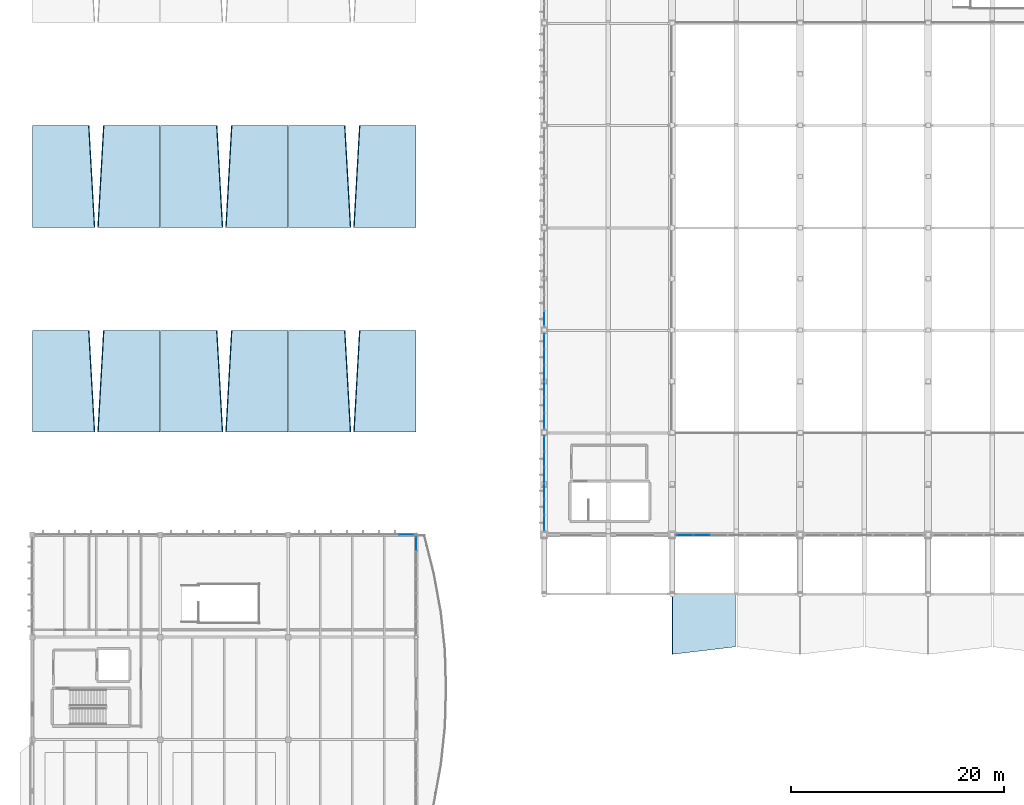
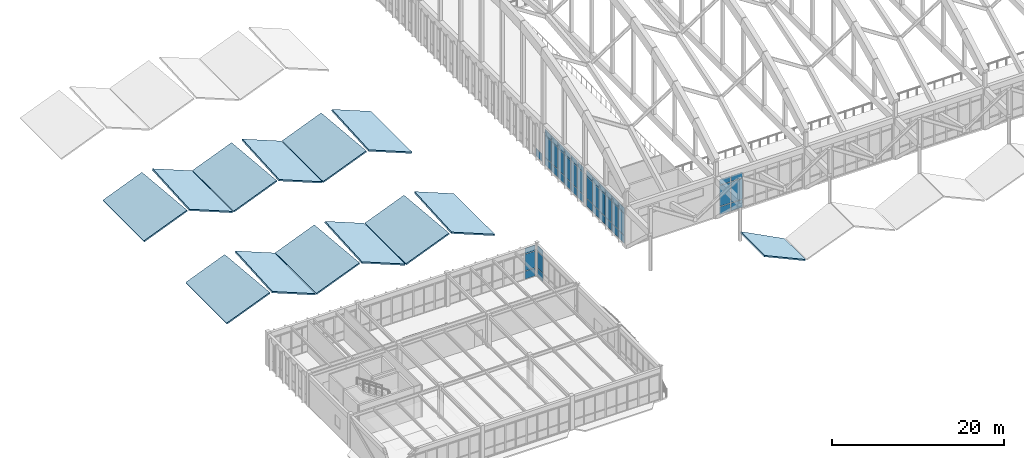
# One storey, part 189 of 236: 49 plates, 13 slabs, 6 elements without a shape of their own.
"""IFC4 building model written with IfcOpenShell, lengths in metres."""

from ifc_helpers import new_model, si_unit, direction, frame, origin, origin_2d, place, context, subcontext, project, spatial, polyline, rectangle, outline, extrude, material, layer, layer_set, type_object, element, aggregate, save


model = new_model("IFC4")

# Units and contexts
model_context = context("Model", 3, precision=1e-05, world=origin(), true_north=direction((0.0, 1.0)))
body_context = subcontext(model_context, "Body", "Model", "MODEL_VIEW")
ifc_project = project(units=[si_unit("LENGTHUNIT", "METRE"), si_unit("AREAUNIT", "SQUARE_METRE"), si_unit("VOLUMEUNIT", "CUBIC_METRE"), si_unit("PLANEANGLEUNIT", "RADIAN"), si_unit("MASSUNIT", "GRAM", prefix="KILO")], contexts=[model_context])

# Site, building, storey
site_placement = place(None, origin())
site = spatial("IfcSite", under=ifc_project, at=site_placement, CompositionType="ELEMENT")
building_placement = place(site_placement, origin())
building = spatial("IfcBuilding", under=site, at=building_placement, Name="Pandanus Reach Market Hall", CompositionType="ELEMENT")
storey_placement = place(building_placement, frame((0.0, 0.0, 5.39990234375)))
storey = spatial("IfcBuildingStorey", under=building, at=storey_placement, Name="L01", CompositionType="ELEMENT", Elevation=5.39990234375)

# Curtain wall, plates
ifc_material_1 = material(Name="Bronze anodised aluminium and low-E glass", Category="aluminium")
ifc_layer_1 = layer(ifc_material_1, 0.159912109375, Name="CW-18")
ifc_layer_set_1 = layer_set([ifc_layer_1], Name="Bronze anodised aluminium and low-E glass")
curtain_wall_type_1 = type_object("IfcCurtainWallType", Name="CW-18", PredefinedType="NOTDEFINED", material=ifc_layer_set_1)
curtain_wall_1_placement = place(storey_placement, origin())
curtain_wall_1 = element("IfcCurtainWall", 1, at=curtain_wall_1_placement, inside=storey, type_object=curtain_wall_type_1, Name="Glazed curtain wall CW-18 CW-0059", PredefinedType="NOTDEFINED")
ifc_material_2 = material(Name="Solar-control double glazing", Category="glass")
ifc_layer_2 = layer(ifc_material_2, 0.028076171875, Name="CW-P1")
ifc_layer_set_2 = layer_set([ifc_layer_2], Name="Solar-control double glazing")
plate_type_1 = type_object("IfcPlateType", Name="CW-P1", PredefinedType="CURTAIN_PANEL", material=ifc_layer_set_2)
plate_1_placement = place(storey_placement, frame((35.082763671875, 28.800048828125, 0.065185546875), z_axis=(0.0, 0.0, 1.0), x_axis=(1.0, 0.0, 0.0)))
plate_1 = element("IfcPlate", 2, at=plate_1_placement, type_object=plate_type_1, Name="CW-18 panel 8.1", PredefinedType="CURTAIN_PANEL", context=body_context, shape_type="SweptSolid", body=[
    extrude(rectangle(XDim=1.34912109375, YDim=0.028076171875, at=origin_2d()), origin(), (0.0, 0.0, 1.0), 1.1025390625),
])
plate_2_placement = place(storey_placement, frame((35.082763671875, 28.800048828125, 1.232666015625), z_axis=(0.0, 0.0, 1.0), x_axis=(1.0, 0.0, 0.0)))
plate_2 = element("IfcPlate", 3, at=plate_2_placement, type_object=plate_type_1, Name="CW-18 panel 8.2", PredefinedType="CURTAIN_PANEL", context=body_context, shape_type="SweptSolid", body=[
    extrude(rectangle(XDim=1.34912109375, YDim=0.028076171875, at=origin_2d()), origin(), (0.0, 0.0, 1.0), 2.3349609375),
])
plate_3_placement = place(storey_placement, frame((35.082763671875, 28.800048828125, 3.6328125), z_axis=(0.0, 0.0, 1.0), x_axis=(1.0, 0.0, 0.0)))
plate_3 = element("IfcPlate", 4, at=plate_3_placement, type_object=plate_type_1, Name="CW-18 panel 8.3", PredefinedType="CURTAIN_PANEL", context=body_context, shape_type="SweptSolid", body=[
    extrude(rectangle(XDim=1.34912109375, YDim=0.028076171875, at=origin_2d()), origin(), (0.0, 0.0, 1.0), 0.802490234375),
])
aggregate(curtain_wall_1, [plate_1, plate_2, plate_3])

ifc_layer_3 = layer(ifc_material_1, 0.159912109375, Name="CW-20")
ifc_layer_set_3 = layer_set([ifc_layer_3], Name="Bronze anodised aluminium and low-E glass")
curtain_wall_type_2 = type_object("IfcCurtainWallType", Name="CW-20", PredefinedType="NOTDEFINED", material=ifc_layer_set_3)
curtain_wall_2_placement = place(storey_placement, origin())
curtain_wall_2 = element("IfcCurtainWall", 5, at=curtain_wall_2_placement, inside=storey, type_object=curtain_wall_type_2, Name="Glazed curtain wall CW-20 CW-0062", PredefinedType="NOTDEFINED")
plate_4_placement = place(storey_placement, frame((36.0, 27.945556640625, 0.065185546875), z_axis=(0.0, 0.0, 1.0), x_axis=(0.0, 1.0, 0.0)))
plate_4 = element("IfcPlate", 6, at=plate_4_placement, type_object=plate_type_1, Name="CW-20 panel 7.1", PredefinedType="CURTAIN_PANEL", context=body_context, shape_type="SweptSolid", body=[
    extrude(rectangle(XDim=1.22314453125, YDim=0.028076171875, at=origin_2d()), origin(), (0.0, 0.0, 1.0), 1.1025390625),
])
plate_5_placement = place(storey_placement, frame((36.0, 27.945556640625, 1.232666015625), z_axis=(0.0, 0.0, 1.0), x_axis=(0.0, 1.0, 0.0)))
plate_5 = element("IfcPlate", 7, at=plate_5_placement, type_object=plate_type_1, Name="CW-20 panel 7.2", PredefinedType="CURTAIN_PANEL", context=body_context, shape_type="SweptSolid", body=[
    extrude(rectangle(XDim=1.22314453125, YDim=0.028076171875, at=origin_2d()), origin(), (0.0, 0.0, 1.0), 2.3349609375),
])
plate_6_placement = place(storey_placement, frame((36.0, 27.945556640625, 3.6328125), z_axis=(0.0, 0.0, 1.0), x_axis=(0.0, 1.0, 0.0)))
plate_6 = element("IfcPlate", 8, at=plate_6_placement, type_object=plate_type_1, Name="CW-20 panel 7.3", PredefinedType="CURTAIN_PANEL", context=body_context, shape_type="SweptSolid", body=[
    extrude(rectangle(XDim=1.22314453125, YDim=0.028076171875, at=origin_2d()), origin(), (0.0, 0.0, 1.0), 0.802490234375),
])
aggregate(curtain_wall_2, [plate_4, plate_5, plate_6])

ifc_layer_4 = layer(ifc_material_1, 0.199951171875, Name="CW-02")
ifc_layer_set_4 = layer_set([ifc_layer_4], Name="Bronze anodised aluminium and low-E glass")
curtain_wall_type_3 = type_object("IfcCurtainWallType", Name="CW-02", PredefinedType="NOTDEFINED", material=ifc_layer_set_4)
curtain_wall_3_placement = place(storey_placement, origin())
curtain_wall_3 = element("IfcCurtainWall", 9, at=curtain_wall_3_placement, inside=storey, type_object=curtain_wall_type_3, Name="Glazed curtain wall CW-02 CW-0002", PredefinedType="NOTDEFINED")
ifc_material_3 = material(Name="Acoustic laminated solar double glazing", Category="glass")
ifc_layer_5 = layer(ifc_material_3, 0.031982421875, Name="CW-P2")
ifc_layer_set_5 = layer_set([ifc_layer_5], Name="Acoustic laminated solar double glazing")
plate_type_2 = type_object("IfcPlateType", Name="CW-P2", PredefinedType="CURTAIN_PANEL", material=ifc_layer_set_5)
plate_7_placement = place(storey_placement, frame((61.197265625, 28.800048828125, 0.0751953125), z_axis=(0.0, 0.0, 1.0), x_axis=(1.0, 0.0, 0.0)))
plate_7 = element("IfcPlate", 10, at=plate_7_placement, type_object=plate_type_2, Name="CW-02 panel 1.1", PredefinedType="CURTAIN_PANEL", context=body_context, shape_type="SweptSolid", body=[
    extrude(rectangle(XDim=1.49462890625, YDim=0.031982421875, at=origin_2d()), origin(), (0.0, 0.0, 1.0), 1.08740234375),
])
plate_8_placement = place(storey_placement, frame((61.197265625, 28.800048828125, 1.23779296875), z_axis=(0.0, 0.0, 1.0), x_axis=(1.0, 0.0, 0.0)))
plate_8 = element("IfcPlate", 11, at=plate_8_placement, type_object=plate_type_2, Name="CW-02 panel 1.2", PredefinedType="CURTAIN_PANEL", context=body_context, shape_type="SweptSolid", body=[
    extrude(rectangle(XDim=1.49462890625, YDim=0.031982421875, at=origin_2d()), origin(), (0.0, 0.0, 1.0), 2.925048828125),
])
plate_9_placement = place(storey_placement, frame((61.197265625, 28.800048828125, 4.237548828125), z_axis=(0.0, 0.0, 1.0), x_axis=(1.0, 0.0, 0.0)))
plate_9 = element("IfcPlate", 12, at=plate_9_placement, type_object=plate_type_2, Name="CW-02 panel 1.3", PredefinedType="CURTAIN_PANEL", context=body_context, shape_type="SweptSolid", body=[
    extrude(rectangle(XDim=1.49462890625, YDim=0.031982421875, at=origin_2d()), origin(), (0.0, 0.0, 1.0), 0.78759765625),
])
plate_10_placement = place(storey_placement, frame((62.78564453125, 28.800048828125, 0.0751953125), z_axis=(0.0, 0.0, 1.0), x_axis=(1.0, 0.0, 0.0)))
plate_10 = element("IfcPlate", 13, at=plate_10_placement, type_object=plate_type_2, Name="CW-02 panel 2.1", PredefinedType="CURTAIN_PANEL", context=body_context, shape_type="SweptSolid", body=[
    extrude(rectangle(XDim=1.5322265625, YDim=0.031982421875, at=origin_2d()), origin(), (0.0, 0.0, 1.0), 1.08740234375),
])
plate_11_placement = place(storey_placement, frame((62.78564453125, 28.800048828125, 1.23779296875), z_axis=(0.0, 0.0, 1.0), x_axis=(1.0, 0.0, 0.0)))
plate_11 = element("IfcPlate", 14, at=plate_11_placement, type_object=plate_type_2, Name="CW-02 panel 2.2", PredefinedType="CURTAIN_PANEL", context=body_context, shape_type="SweptSolid", body=[
    extrude(rectangle(XDim=1.5322265625, YDim=0.031982421875, at=origin_2d()), origin(), (0.0, 0.0, 1.0), 2.925048828125),
])
plate_12_placement = place(storey_placement, frame((62.78564453125, 28.800048828125, 4.237548828125), z_axis=(0.0, 0.0, 1.0), x_axis=(1.0, 0.0, 0.0)))
plate_12 = element("IfcPlate", 15, at=plate_12_placement, type_object=plate_type_2, Name="CW-02 panel 2.3", PredefinedType="CURTAIN_PANEL", context=body_context, shape_type="SweptSolid", body=[
    extrude(rectangle(XDim=1.5322265625, YDim=0.031982421875, at=origin_2d()), origin(), (0.0, 0.0, 1.0), 0.78759765625),
])
aggregate(curtain_wall_3, [plate_7, plate_8, plate_9, plate_10, plate_11, plate_12])

ifc_layer_6 = layer(ifc_material_1, 0.199951171875, Name="CW-04")
ifc_layer_set_6 = layer_set([ifc_layer_6], Name="Bronze anodised aluminium and low-E glass")
curtain_wall_type_4 = type_object("IfcCurtainWallType", Name="CW-04", PredefinedType="NOTDEFINED", material=ifc_layer_set_6)
curtain_wall_4_placement = place(storey_placement, origin())
curtain_wall_4 = element("IfcCurtainWall", 16, at=curtain_wall_4_placement, inside=storey, type_object=curtain_wall_type_4, Name="Glazed curtain wall CW-04 CW-0019", PredefinedType="NOTDEFINED")
plate_13_placement = place(storey_placement, frame((48.0, 29.9375, 0.0751953125), z_axis=(0.0, 0.0, 1.0), x_axis=(0.0, 1.0, 0.0)))
plate_13 = element("IfcPlate", 17, at=plate_13_placement, type_object=plate_type_2, Name="CW-04 panel 1.1", PredefinedType="CURTAIN_PANEL", context=body_context, shape_type="SweptSolid", body=[
    extrude(rectangle(XDim=1.375, YDim=0.031982421875, at=origin_2d()), origin(), (0.0, 0.0, 1.0), 1.08740234375),
])
plate_14_placement = place(storey_placement, frame((48.0, 29.9375, 1.237548828125), z_axis=(0.0, 0.0, 1.0), x_axis=(0.0, 1.0, 0.0)))
plate_14 = element("IfcPlate", 18, at=plate_14_placement, type_object=plate_type_2, Name="CW-04 panel 1.2", PredefinedType="CURTAIN_PANEL", context=body_context, shape_type="SweptSolid", body=[
    extrude(rectangle(XDim=1.375, YDim=0.031982421875, at=origin_2d()), origin(), (0.0, 0.0, 1.0), 3.02490234375),
])
plate_15_placement = place(storey_placement, frame((48.0, 29.9375, 4.337646484375), z_axis=(0.0, 0.0, 1.0), x_axis=(0.0, 1.0, 0.0)))
plate_15 = element("IfcPlate", 19, at=plate_15_placement, type_object=plate_type_2, Name="CW-04 panel 1.3", PredefinedType="CURTAIN_PANEL", context=body_context, shape_type="SweptSolid", body=[
    extrude(rectangle(XDim=1.375, YDim=0.031982421875, at=origin_2d()), origin(), (0.0, 0.0, 1.0), 0.78759765625),
])
plate_16_placement = place(storey_placement, frame((48.0, 31.40625, 0.0751953125), z_axis=(0.0, 0.0, 1.0), x_axis=(0.0, 1.0, 0.0)))
plate_16 = element("IfcPlate", 20, at=plate_16_placement, type_object=plate_type_2, Name="CW-04 panel 2.1", PredefinedType="CURTAIN_PANEL", context=body_context, shape_type="SweptSolid", body=[
    extrude(rectangle(XDim=1.41259765625, YDim=0.031982421875, at=origin_2d()), origin(), (0.0, 0.0, 1.0), 1.08740234375),
])
plate_17_placement = place(storey_placement, frame((48.0, 31.40625, 1.237548828125), z_axis=(0.0, 0.0, 1.0), x_axis=(0.0, 1.0, 0.0)))
plate_17 = element("IfcPlate", 21, at=plate_17_placement, type_object=plate_type_2, Name="CW-04 panel 2.2", PredefinedType="CURTAIN_PANEL", context=body_context, shape_type="SweptSolid", body=[
    extrude(rectangle(XDim=1.41259765625, YDim=0.031982421875, at=origin_2d()), origin(), (0.0, 0.0, 1.0), 3.02490234375),
])
plate_18_placement = place(storey_placement, frame((48.0, 31.40625, 4.337646484375), z_axis=(0.0, 0.0, 1.0), x_axis=(0.0, 1.0, 0.0)))
plate_18 = element("IfcPlate", 22, at=plate_18_placement, type_object=plate_type_2, Name="CW-04 panel 2.3", PredefinedType="CURTAIN_PANEL", context=body_context, shape_type="SweptSolid", body=[
    extrude(rectangle(XDim=1.41259765625, YDim=0.031982421875, at=origin_2d()), origin(), (0.0, 0.0, 1.0), 0.78759765625),
])
plate_19_placement = place(storey_placement, frame((48.0, 32.893798828125, 0.0751953125), z_axis=(0.0, 0.0, 1.0), x_axis=(0.0, 1.0, 0.0)))
plate_19 = element("IfcPlate", 23, at=plate_19_placement, type_object=plate_type_2, Name="CW-04 panel 3.1", PredefinedType="CURTAIN_PANEL", context=body_context, shape_type="SweptSolid", body=[
    extrude(rectangle(XDim=1.41259765625, YDim=0.031982421875, at=origin_2d()), origin(), (0.0, 0.0, 1.0), 1.08740234375),
])
plate_20_placement = place(storey_placement, frame((48.0, 32.893798828125, 1.237548828125), z_axis=(0.0, 0.0, 1.0), x_axis=(0.0, 1.0, 0.0)))
plate_20 = element("IfcPlate", 24, at=plate_20_placement, type_object=plate_type_2, Name="CW-04 panel 3.2", PredefinedType="CURTAIN_PANEL", context=body_context, shape_type="SweptSolid", body=[
    extrude(rectangle(XDim=1.41259765625, YDim=0.031982421875, at=origin_2d()), origin(), (0.0, 0.0, 1.0), 3.02490234375),
])
plate_21_placement = place(storey_placement, frame((48.0, 32.893798828125, 4.337646484375), z_axis=(0.0, 0.0, 1.0), x_axis=(0.0, 1.0, 0.0)))
plate_21 = element("IfcPlate", 25, at=plate_21_placement, type_object=plate_type_2, Name="CW-04 panel 3.3", PredefinedType="CURTAIN_PANEL", context=body_context, shape_type="SweptSolid", body=[
    extrude(rectangle(XDim=1.41259765625, YDim=0.031982421875, at=origin_2d()), origin(), (0.0, 0.0, 1.0), 0.78759765625),
])
plate_22_placement = place(storey_placement, frame((48.0, 34.38134765625, 0.0751953125), z_axis=(0.0, 0.0, 1.0), x_axis=(0.0, 1.0, 0.0)))
plate_22 = element("IfcPlate", 26, at=plate_22_placement, type_object=plate_type_2, Name="CW-04 panel 4.1", PredefinedType="CURTAIN_PANEL", context=body_context, shape_type="SweptSolid", body=[
    extrude(rectangle(XDim=1.41259765625, YDim=0.031982421875, at=origin_2d()), origin(), (0.0, 0.0, 1.0), 1.08740234375),
])
plate_23_placement = place(storey_placement, frame((48.0, 34.38134765625, 1.237548828125), z_axis=(0.0, 0.0, 1.0), x_axis=(0.0, 1.0, 0.0)))
plate_23 = element("IfcPlate", 27, at=plate_23_placement, type_object=plate_type_2, Name="CW-04 panel 4.2", PredefinedType="CURTAIN_PANEL", context=body_context, shape_type="SweptSolid", body=[
    extrude(rectangle(XDim=1.41259765625, YDim=0.031982421875, at=origin_2d()), origin(), (0.0, 0.0, 1.0), 3.02490234375),
])
plate_24_placement = place(storey_placement, frame((48.0, 34.38134765625, 4.337646484375), z_axis=(0.0, 0.0, 1.0), x_axis=(0.0, 1.0, 0.0)))
plate_24 = element("IfcPlate", 28, at=plate_24_placement, type_object=plate_type_2, Name="CW-04 panel 4.3", PredefinedType="CURTAIN_PANEL", context=body_context, shape_type="SweptSolid", body=[
    extrude(rectangle(XDim=1.41259765625, YDim=0.031982421875, at=origin_2d()), origin(), (0.0, 0.0, 1.0), 0.78759765625),
])
plate_25_placement = place(storey_placement, frame((48.0, 35.86865234375, 0.0751953125), z_axis=(0.0, 0.0, 1.0), x_axis=(0.0, 1.0, 0.0)))
plate_25 = element("IfcPlate", 29, at=plate_25_placement, type_object=plate_type_2, Name="CW-04 panel 5.1", PredefinedType="CURTAIN_PANEL", context=body_context, shape_type="SweptSolid", body=[
    extrude(rectangle(XDim=1.41259765625, YDim=0.031982421875, at=origin_2d()), origin(), (0.0, 0.0, 1.0), 1.08740234375),
])
plate_26_placement = place(storey_placement, frame((48.0, 35.86865234375, 1.237548828125), z_axis=(0.0, 0.0, 1.0), x_axis=(0.0, 1.0, 0.0)))
plate_26 = element("IfcPlate", 30, at=plate_26_placement, type_object=plate_type_2, Name="CW-04 panel 5.2", PredefinedType="CURTAIN_PANEL", context=body_context, shape_type="SweptSolid", body=[
    extrude(rectangle(XDim=1.41259765625, YDim=0.031982421875, at=origin_2d()), origin(), (0.0, 0.0, 1.0), 3.02490234375),
])
plate_27_placement = place(storey_placement, frame((48.0, 35.86865234375, 4.337646484375), z_axis=(0.0, 0.0, 1.0), x_axis=(0.0, 1.0, 0.0)))
plate_27 = element("IfcPlate", 31, at=plate_27_placement, type_object=plate_type_2, Name="CW-04 panel 5.3", PredefinedType="CURTAIN_PANEL", context=body_context, shape_type="SweptSolid", body=[
    extrude(rectangle(XDim=1.41259765625, YDim=0.031982421875, at=origin_2d()), origin(), (0.0, 0.0, 1.0), 0.78759765625),
])
plate_28_placement = place(storey_placement, frame((48.0, 37.33740234375, 0.0751953125), z_axis=(0.0, 0.0, 1.0), x_axis=(0.0, 1.0, 0.0)))
plate_28 = element("IfcPlate", 32, at=plate_28_placement, type_object=plate_type_2, Name="CW-04 panel 6.1", PredefinedType="CURTAIN_PANEL", context=body_context, shape_type="SweptSolid", body=[
    extrude(rectangle(XDim=1.375, YDim=0.031982421875, at=origin_2d()), origin(), (0.0, 0.0, 1.0), 1.08740234375),
])
plate_29_placement = place(storey_placement, frame((48.0, 37.33740234375, 1.237548828125), z_axis=(0.0, 0.0, 1.0), x_axis=(0.0, 1.0, 0.0)))
plate_29 = element("IfcPlate", 33, at=plate_29_placement, type_object=plate_type_2, Name="CW-04 panel 6.2", PredefinedType="CURTAIN_PANEL", context=body_context, shape_type="SweptSolid", body=[
    extrude(rectangle(XDim=1.375, YDim=0.031982421875, at=origin_2d()), origin(), (0.0, 0.0, 1.0), 3.02490234375),
])
plate_30_placement = place(storey_placement, frame((48.0, 37.33740234375, 4.337646484375), z_axis=(0.0, 0.0, 1.0), x_axis=(0.0, 1.0, 0.0)))
plate_30 = element("IfcPlate", 34, at=plate_30_placement, type_object=plate_type_2, Name="CW-04 panel 6.3", PredefinedType="CURTAIN_PANEL", context=body_context, shape_type="SweptSolid", body=[
    extrude(rectangle(XDim=1.375, YDim=0.031982421875, at=origin_2d()), origin(), (0.0, 0.0, 1.0), 0.78759765625),
])
aggregate(curtain_wall_4, [plate_13, plate_14, plate_15, plate_16, plate_17, plate_18, plate_19, plate_20, plate_21, plate_22, plate_23, plate_24, plate_25, plate_26, plate_27, plate_28, plate_29, plate_30])

ifc_layer_7 = layer(ifc_material_1, 0.199951171875, Name="CW-05")
ifc_layer_set_7 = layer_set([ifc_layer_7], Name="Bronze anodised aluminium and low-E glass")
curtain_wall_type_5 = type_object("IfcCurtainWallType", Name="CW-05", PredefinedType="NOTDEFINED", material=ifc_layer_set_7)
curtain_wall_5_placement = place(storey_placement, origin())
curtain_wall_5 = element("IfcCurtainWall", 35, at=curtain_wall_5_placement, inside=storey, type_object=curtain_wall_type_5, Name="Glazed curtain wall CW-05 CW-0022", PredefinedType="NOTDEFINED")
plate_31_placement = place(storey_placement, frame((48.0, 39.46875, 0.0751953125), z_axis=(0.0, 0.0, 1.0), x_axis=(0.0, 1.0, 0.0)))
plate_31 = element("IfcPlate", 36, at=plate_31_placement, type_object=plate_type_2, Name="CW-05 panel 1.1", PredefinedType="CURTAIN_PANEL", context=body_context, shape_type="SweptSolid", body=[
    extrude(rectangle(XDim=1.387451171875, YDim=0.031982421875, at=origin_2d()), origin(), (0.0, 0.0, 1.0), 1.08740234375),
])
plate_32_placement = place(storey_placement, frame((48.0, 39.46875, 1.237548828125), z_axis=(0.0, 0.0, 1.0), x_axis=(0.0, 1.0, 0.0)))
plate_32 = element("IfcPlate", 37, at=plate_32_placement, type_object=plate_type_2, Name="CW-05 panel 1.2", PredefinedType="CURTAIN_PANEL", context=body_context, shape_type="SweptSolid", body=[
    extrude(rectangle(XDim=1.387451171875, YDim=0.031982421875, at=origin_2d()), origin(), (0.0, 0.0, 1.0), 3.02490234375),
])
plate_33_placement = place(storey_placement, frame((48.0, 39.46875, 4.337646484375), z_axis=(0.0, 0.0, 1.0), x_axis=(0.0, 1.0, 0.0)))
plate_33 = element("IfcPlate", 38, at=plate_33_placement, type_object=plate_type_2, Name="CW-05 panel 1.3", PredefinedType="CURTAIN_PANEL", context=body_context, shape_type="SweptSolid", body=[
    extrude(rectangle(XDim=1.387451171875, YDim=0.031982421875, at=origin_2d()), origin(), (0.0, 0.0, 1.0), 0.78759765625),
])
plate_34_placement = place(storey_placement, frame((48.0, 40.949951171875, 0.0751953125), z_axis=(0.0, 0.0, 1.0), x_axis=(0.0, 1.0, 0.0)))
plate_34 = element("IfcPlate", 39, at=plate_34_placement, type_object=plate_type_2, Name="CW-05 panel 2.1", PredefinedType="CURTAIN_PANEL", context=body_context, shape_type="SweptSolid", body=[
    extrude(rectangle(XDim=1.425048828125, YDim=0.031982421875, at=origin_2d()), origin(), (0.0, 0.0, 1.0), 1.08740234375),
])
plate_35_placement = place(storey_placement, frame((48.0, 40.949951171875, 1.237548828125), z_axis=(0.0, 0.0, 1.0), x_axis=(0.0, 1.0, 0.0)))
plate_35 = element("IfcPlate", 40, at=plate_35_placement, type_object=plate_type_2, Name="CW-05 panel 2.2", PredefinedType="CURTAIN_PANEL", context=body_context, shape_type="SweptSolid", body=[
    extrude(rectangle(XDim=1.425048828125, YDim=0.031982421875, at=origin_2d()), origin(), (0.0, 0.0, 1.0), 3.02490234375),
])
plate_36_placement = place(storey_placement, frame((48.0, 40.949951171875, 4.337646484375), z_axis=(0.0, 0.0, 1.0), x_axis=(0.0, 1.0, 0.0)))
plate_36 = element("IfcPlate", 41, at=plate_36_placement, type_object=plate_type_2, Name="CW-05 panel 2.3", PredefinedType="CURTAIN_PANEL", context=body_context, shape_type="SweptSolid", body=[
    extrude(rectangle(XDim=1.425048828125, YDim=0.031982421875, at=origin_2d()), origin(), (0.0, 0.0, 1.0), 0.78759765625),
])
plate_37_placement = place(storey_placement, frame((48.0, 42.449951171875, 0.0751953125), z_axis=(0.0, 0.0, 1.0), x_axis=(0.0, 1.0, 0.0)))
plate_37 = element("IfcPlate", 42, at=plate_37_placement, type_object=plate_type_2, Name="CW-05 panel 3.1", PredefinedType="CURTAIN_PANEL", context=body_context, shape_type="SweptSolid", body=[
    extrude(rectangle(XDim=1.425048828125, YDim=0.031982421875, at=origin_2d()), origin(), (0.0, 0.0, 1.0), 1.08740234375),
])
plate_38_placement = place(storey_placement, frame((48.0, 42.449951171875, 1.237548828125), z_axis=(0.0, 0.0, 1.0), x_axis=(0.0, 1.0, 0.0)))
plate_38 = element("IfcPlate", 43, at=plate_38_placement, type_object=plate_type_2, Name="CW-05 panel 3.2", PredefinedType="CURTAIN_PANEL", context=body_context, shape_type="SweptSolid", body=[
    extrude(rectangle(XDim=1.425048828125, YDim=0.031982421875, at=origin_2d()), origin(), (0.0, 0.0, 1.0), 3.02490234375),
])
plate_39_placement = place(storey_placement, frame((48.0, 42.449951171875, 4.337646484375), z_axis=(0.0, 0.0, 1.0), x_axis=(0.0, 1.0, 0.0)))
plate_39 = element("IfcPlate", 44, at=plate_39_placement, type_object=plate_type_2, Name="CW-05 panel 3.3", PredefinedType="CURTAIN_PANEL", context=body_context, shape_type="SweptSolid", body=[
    extrude(rectangle(XDim=1.425048828125, YDim=0.031982421875, at=origin_2d()), origin(), (0.0, 0.0, 1.0), 0.78759765625),
])
plate_40_placement = place(storey_placement, frame((48.0, 43.949951171875, 0.0751953125), z_axis=(0.0, 0.0, 1.0), x_axis=(0.0, 1.0, 0.0)))
plate_40 = element("IfcPlate", 45, at=plate_40_placement, type_object=plate_type_2, Name="CW-05 panel 4.1", PredefinedType="CURTAIN_PANEL", context=body_context, shape_type="SweptSolid", body=[
    extrude(rectangle(XDim=1.425048828125, YDim=0.031982421875, at=origin_2d()), origin(), (0.0, 0.0, 1.0), 1.08740234375),
])
plate_41_placement = place(storey_placement, frame((48.0, 43.949951171875, 1.237548828125), z_axis=(0.0, 0.0, 1.0), x_axis=(0.0, 1.0, 0.0)))
plate_41 = element("IfcPlate", 46, at=plate_41_placement, type_object=plate_type_2, Name="CW-05 panel 4.2", PredefinedType="CURTAIN_PANEL", context=body_context, shape_type="SweptSolid", body=[
    extrude(rectangle(XDim=1.425048828125, YDim=0.031982421875, at=origin_2d()), origin(), (0.0, 0.0, 1.0), 3.02490234375),
])
plate_42_placement = place(storey_placement, frame((48.0, 43.949951171875, 4.337646484375), z_axis=(0.0, 0.0, 1.0), x_axis=(0.0, 1.0, 0.0)))
plate_42 = element("IfcPlate", 47, at=plate_42_placement, type_object=plate_type_2, Name="CW-05 panel 4.3", PredefinedType="CURTAIN_PANEL", context=body_context, shape_type="SweptSolid", body=[
    extrude(rectangle(XDim=1.425048828125, YDim=0.031982421875, at=origin_2d()), origin(), (0.0, 0.0, 1.0), 0.78759765625),
])
plate_43_placement = place(storey_placement, frame((48.0, 45.449951171875, 0.0751953125), z_axis=(0.0, 0.0, 1.0), x_axis=(0.0, 1.0, 0.0)))
plate_43 = element("IfcPlate", 48, at=plate_43_placement, type_object=plate_type_2, Name="CW-05 panel 5.1", PredefinedType="CURTAIN_PANEL", context=body_context, shape_type="SweptSolid", body=[
    extrude(rectangle(XDim=1.425048828125, YDim=0.031982421875, at=origin_2d()), origin(), (0.0, 0.0, 1.0), 1.08740234375),
])
plate_44_placement = place(storey_placement, frame((48.0, 45.449951171875, 1.237548828125), z_axis=(0.0, 0.0, 1.0), x_axis=(0.0, 1.0, 0.0)))
plate_44 = element("IfcPlate", 49, at=plate_44_placement, type_object=plate_type_2, Name="CW-05 panel 5.2", PredefinedType="CURTAIN_PANEL", context=body_context, shape_type="SweptSolid", body=[
    extrude(rectangle(XDim=1.425048828125, YDim=0.031982421875, at=origin_2d()), origin(), (0.0, 0.0, 1.0), 3.02490234375),
])
plate_45_placement = place(storey_placement, frame((48.0, 45.449951171875, 4.337646484375), z_axis=(0.0, 0.0, 1.0), x_axis=(0.0, 1.0, 0.0)))
plate_45 = element("IfcPlate", 50, at=plate_45_placement, type_object=plate_type_2, Name="CW-05 panel 5.3", PredefinedType="CURTAIN_PANEL", context=body_context, shape_type="SweptSolid", body=[
    extrude(rectangle(XDim=1.425048828125, YDim=0.031982421875, at=origin_2d()), origin(), (0.0, 0.0, 1.0), 0.78759765625),
])
plate_46_placement = place(storey_placement, frame((48.0, 46.93115234375, 0.0751953125), z_axis=(0.0, 0.0, 1.0), x_axis=(0.0, 1.0, 0.0)))
plate_46 = element("IfcPlate", 51, at=plate_46_placement, type_object=plate_type_2, Name="CW-05 panel 6.1", PredefinedType="CURTAIN_PANEL", context=body_context, shape_type="SweptSolid", body=[
    extrude(rectangle(XDim=1.387451171875, YDim=0.031982421875, at=origin_2d()), origin(), (0.0, 0.0, 1.0), 1.08740234375),
])
plate_47_placement = place(storey_placement, frame((48.0, 46.93115234375, 1.237548828125), z_axis=(0.0, 0.0, 1.0), x_axis=(0.0, 1.0, 0.0)))
plate_47 = element("IfcPlate", 52, at=plate_47_placement, type_object=plate_type_2, Name="CW-05 panel 6.2", PredefinedType="CURTAIN_PANEL", context=body_context, shape_type="SweptSolid", body=[
    extrude(rectangle(XDim=1.387451171875, YDim=0.031982421875, at=origin_2d()), origin(), (0.0, 0.0, 1.0), 3.02490234375),
])
plate_48_placement = place(storey_placement, frame((48.0, 46.93115234375, 4.337646484375), z_axis=(0.0, 0.0, 1.0), x_axis=(0.0, 1.0, 0.0)))
plate_48 = element("IfcPlate", 53, at=plate_48_placement, type_object=plate_type_2, Name="CW-05 panel 6.3", PredefinedType="CURTAIN_PANEL", context=body_context, shape_type="SweptSolid", body=[
    extrude(rectangle(XDim=1.387451171875, YDim=0.031982421875, at=origin_2d()), origin(), (0.0, 0.0, 1.0), 0.78759765625),
])
aggregate(curtain_wall_5, [plate_31, plate_32, plate_33, plate_34, plate_35, plate_36, plate_37, plate_38, plate_39, plate_40, plate_41, plate_42, plate_43, plate_44, plate_45, plate_46, plate_47, plate_48])

# Curtain wall, plate
curtain_wall_6_placement = place(storey_placement, origin())
curtain_wall_6 = element("IfcCurtainWall", 54, at=curtain_wall_6_placement, inside=storey, type_object=curtain_wall_type_5, Name="Glazed curtain wall CW-05 CW-0025", PredefinedType="NOTDEFINED")
plate_49_placement = place(storey_placement, frame((48.0, 49.06884765625, 0.0751953125), z_axis=(0.0, 0.0, 1.0), x_axis=(0.0, 1.0, 0.0)))
plate_49 = element("IfcPlate", 55, at=plate_49_placement, type_object=plate_type_2, Name="CW-05 panel 1.1", PredefinedType="CURTAIN_PANEL", context=body_context, shape_type="SweptSolid", body=[
    extrude(rectangle(XDim=1.387451171875, YDim=0.031982421875, at=origin_2d()), origin(), (0.0, 0.0, 1.0), 1.08740234375),
])
aggregate(curtain_wall_6, [plate_49])

# Slabs
ifc_material_4 = material(Name="Concrete N50 (50 MPa)", Category="concrete")
ifc_layer_8 = layer(ifc_material_4, 0.179931640625, Name="RF-CNP-180")
ifc_layer_set_8 = layer_set([ifc_layer_8], Name="Concrete N50 (50 MPa)")
slab_type_1 = type_object("IfcSlabType", Name="RF-CNP-180", PredefinedType="ROOF", material=ifc_layer_set_8)
slab_1_placement = place(storey_placement, frame((60.050048828125, 17.60009765625, 1.2275390625), z_axis=(0.461352736642, 0.0, 0.887216801235), x_axis=(0.882326029865, 0.104855076793, -0.45880953553)))
element("IfcSlab", 56, at=slab_1_placement, inside=storey, type_object=slab_type_1, Name="Forecourt zigzag canopy slab C1W", PredefinedType="ROOF", context=body_context, shape_type="SweptSolid", body=[
    extrude(outline(polyline([(0.0, 0.0), (6.67541518527454, 0.0), (7.18919482180509, 4.872891694196915), (0.5871730704086318, 5.568984394110346), (0.0, 0.0)])), origin(), (0.0, 0.0, -1.0), 0.179931640625),
])
ifc_material_5 = material(Name="Precast concrete S50 (50 MPa)", Category="concrete")
ifc_layer_9 = layer(ifc_material_5, 0.195068359375, Name="RF-GBL-195")
ifc_layer_set_9 = layer_set([ifc_layer_9], Name="Precast concrete S50 (50 MPa)")
slab_type_2 = type_object("IfcSlabType", Name="RF-GBL-195", PredefinedType="ROOF", material=ifc_layer_set_9)
slab_2_placement = place(storey_placement, frame((0.0400390625, 38.43994140625, 0.016357421875), z_axis=(-0.374590068677, 4.040399e-06, 0.927190530815), x_axis=(0.927190530822, -2.5e-11, 0.37459006868)))
element("IfcSlab", 57, at=slab_2_placement, inside=storey, type_object=slab_type_2, Name="Artisan stall steep gable roof R1.B1W", PredefinedType="ROOF", context=body_context, shape_type="SweptSolid", body=[
    extrude(outline(polyline([(0.0, 0.0), (6.233933062534003, 0.0), (5.651455285055803, 9.520019531468598), (-2.37335141754904e-10, 9.520019531172295), (0.0, 0.0)])), origin(), (0.0, 0.0, -1.0), 0.195068359375),
])
slab_3_placement = place(storey_placement, frame((6.179931640625, 38.43994140625, 2.3515625), z_axis=(0.374590068677, 4.040399e-06, 0.927190530815), x_axis=(0.927190530822, 2.5e-11, -0.37459006868)))
element("IfcSlab", 58, at=slab_3_placement, inside=storey, type_object=slab_type_2, Name="Artisan stall steep gable roof R1.B1E", PredefinedType="ROOF", context=body_context, shape_type="SweptSolid", body=[
    extrude(outline(polyline([(0.0, 0.0), (6.233933062534003, 0.0), (6.233933062771339, 9.520019531172295), (0.5824777774781991, 9.520019531468598), (0.0, 0.0)])), origin(), (0.0, 0.0, -1.0), 0.195068359375),
])
slab_4_placement = place(storey_placement, frame((12.0400390625, 38.43994140625, 0.016357421875), z_axis=(-0.374590068677, 4.040399e-06, 0.927190530815), x_axis=(0.927190530822, -2.5e-11, 0.37459006868)))
element("IfcSlab", 59, at=slab_4_placement, inside=storey, type_object=slab_type_2, Name="Artisan stall steep gable roof R1.B2W", PredefinedType="ROOF", context=body_context, shape_type="SweptSolid", body=[
    extrude(outline(polyline([(0.0, 0.0), (6.233933062534003, 0.0), (5.651455285055803, 9.520019531468598), (-2.37335141754904e-10, 9.520019531172295), (0.0, 0.0)])), origin(), (0.0, 0.0, -1.0), 0.195068359375),
])
slab_5_placement = place(storey_placement, frame((18.179931640625, 38.43994140625, 2.3515625), z_axis=(0.374590068677, 4.040399e-06, 0.927190530815), x_axis=(0.927190530822, 2.5e-11, -0.37459006868)))
element("IfcSlab", 60, at=slab_5_placement, inside=storey, type_object=slab_type_2, Name="Artisan stall steep gable roof R1.B2E", PredefinedType="ROOF", context=body_context, shape_type="SweptSolid", body=[
    extrude(outline(polyline([(0.0, 0.0), (6.233933062534003, 0.0), (6.233933062771339, 9.520019531172295), (0.5824777774781991, 9.520019531468598), (0.0, 0.0)])), origin(), (0.0, 0.0, -1.0), 0.195068359375),
])
slab_6_placement = place(storey_placement, frame((24.0400390625, 38.43994140625, 0.016357421875), z_axis=(-0.374590068677, 4.040399e-06, 0.927190530815), x_axis=(0.927190530822, -2.5e-11, 0.37459006868)))
element("IfcSlab", 61, at=slab_6_placement, inside=storey, type_object=slab_type_2, Name="Artisan stall steep gable roof R1.B3W", PredefinedType="ROOF", context=body_context, shape_type="SweptSolid", body=[
    extrude(outline(polyline([(0.0, 0.0), (6.233933062534003, 0.0), (5.651455285055803, 9.520019531468598), (-2.37335141754904e-10, 9.520019531172295), (0.0, 0.0)])), origin(), (0.0, 0.0, -1.0), 0.195068359375),
])
slab_7_placement = place(storey_placement, frame((30.179931640625, 38.43994140625, 2.3515625), z_axis=(0.374590068677, 4.040399e-06, 0.927190530815), x_axis=(0.927190530822, 2.5e-11, -0.37459006868)))
element("IfcSlab", 62, at=slab_7_placement, inside=storey, type_object=slab_type_2, Name="Artisan stall steep gable roof R1.B3E", PredefinedType="ROOF", context=body_context, shape_type="SweptSolid", body=[
    extrude(outline(polyline([(0.0, 0.0), (6.233933062534003, 0.0), (6.233933062771339, 9.520019531172295), (0.5824777774781991, 9.520019531468598), (0.0, 0.0)])), origin(), (0.0, 0.0, -1.0), 0.195068359375),
])
slab_8_placement = place(storey_placement, frame((0.0400390625, 57.639892578125, 0.016357421875), z_axis=(-0.374590068677, 4.040399e-06, 0.927190530815), x_axis=(0.927190530822, -2.5e-11, 0.37459006868)))
element("IfcSlab", 63, at=slab_8_placement, inside=storey, type_object=slab_type_2, Name="Artisan stall steep gable roof R2.B1W", PredefinedType="ROOF", context=body_context, shape_type="SweptSolid", body=[
    extrude(outline(polyline([(0.0, 0.0), (6.233933062534003, 0.0), (5.651455285055803, 9.520019531468598), (-2.37335141754904e-10, 9.520019531172295), (0.0, 0.0)])), origin(), (0.0, 0.0, -1.0), 0.195068359375),
])
slab_9_placement = place(storey_placement, frame((6.179931640625, 57.639892578125, 2.3515625), z_axis=(0.374590068677, 4.040399e-06, 0.927190530815), x_axis=(0.927190530822, 2.5e-11, -0.37459006868)))
element("IfcSlab", 64, at=slab_9_placement, inside=storey, type_object=slab_type_2, Name="Artisan stall steep gable roof R2.B1E", PredefinedType="ROOF", context=body_context, shape_type="SweptSolid", body=[
    extrude(outline(polyline([(0.0, 0.0), (6.233933062534003, 0.0), (6.233933062771339, 9.520019531172295), (0.5824777774781991, 9.520019531468598), (0.0, 0.0)])), origin(), (0.0, 0.0, -1.0), 0.195068359375),
])
slab_10_placement = place(storey_placement, frame((12.0400390625, 57.639892578125, 0.016357421875), z_axis=(-0.374590068677, 4.040399e-06, 0.927190530815), x_axis=(0.927190530822, -2.5e-11, 0.37459006868)))
element("IfcSlab", 65, at=slab_10_placement, inside=storey, type_object=slab_type_2, Name="Artisan stall steep gable roof R2.B2W", PredefinedType="ROOF", context=body_context, shape_type="SweptSolid", body=[
    extrude(outline(polyline([(0.0, 0.0), (6.233933062534003, 0.0), (5.651455285055803, 9.520019531468598), (-2.37335141754904e-10, 9.520019531172295), (0.0, 0.0)])), origin(), (0.0, 0.0, -1.0), 0.195068359375),
])
slab_11_placement = place(storey_placement, frame((18.179931640625, 57.639892578125, 2.3515625), z_axis=(0.374590068677, 4.040399e-06, 0.927190530815), x_axis=(0.927190530822, 2.5e-11, -0.37459006868)))
element("IfcSlab", 66, at=slab_11_placement, inside=storey, type_object=slab_type_2, Name="Artisan stall steep gable roof R2.B2E", PredefinedType="ROOF", context=body_context, shape_type="SweptSolid", body=[
    extrude(outline(polyline([(0.0, 0.0), (6.233933062534003, 0.0), (6.233933062771339, 9.520019531172295), (0.5824777774781991, 9.520019531468598), (0.0, 0.0)])), origin(), (0.0, 0.0, -1.0), 0.195068359375),
])
slab_12_placement = place(storey_placement, frame((24.0400390625, 57.639892578125, 0.016357421875), z_axis=(-0.374590068677, 4.040399e-06, 0.927190530815), x_axis=(0.927190530822, -2.5e-11, 0.37459006868)))
element("IfcSlab", 67, at=slab_12_placement, inside=storey, type_object=slab_type_2, Name="Artisan stall steep gable roof R2.B3W", PredefinedType="ROOF", context=body_context, shape_type="SweptSolid", body=[
    extrude(outline(polyline([(0.0, 0.0), (6.233933062534003, 0.0), (5.651455285055803, 9.520019531468598), (-2.37335141754904e-10, 9.520019531172295), (0.0, 0.0)])), origin(), (0.0, 0.0, -1.0), 0.195068359375),
])
slab_13_placement = place(storey_placement, frame((30.179931640625, 57.639892578125, 2.3515625), z_axis=(0.374590068677, 4.040399e-06, 0.927190530815), x_axis=(0.927190530822, 2.5e-11, -0.37459006868)))
element("IfcSlab", 68, at=slab_13_placement, inside=storey, type_object=slab_type_2, Name="Artisan stall steep gable roof R2.B3E", PredefinedType="ROOF", context=body_context, shape_type="SweptSolid", body=[
    extrude(outline(polyline([(0.0, 0.0), (6.233933062534003, 0.0), (6.233933062771339, 9.520019531172295), (0.5824777774781991, 9.520019531468598), (0.0, 0.0)])), origin(), (0.0, 0.0, -1.0), 0.195068359375),
])

save(model, "model.ifc")
